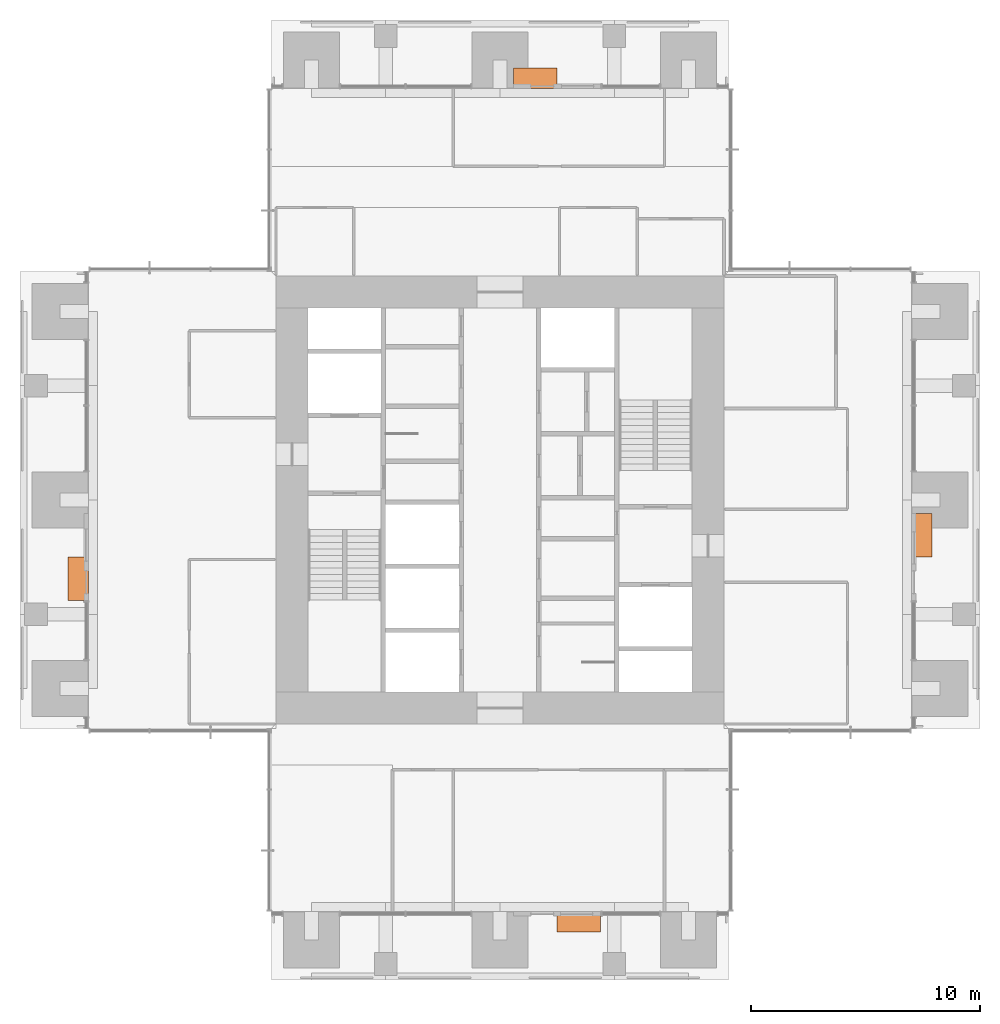
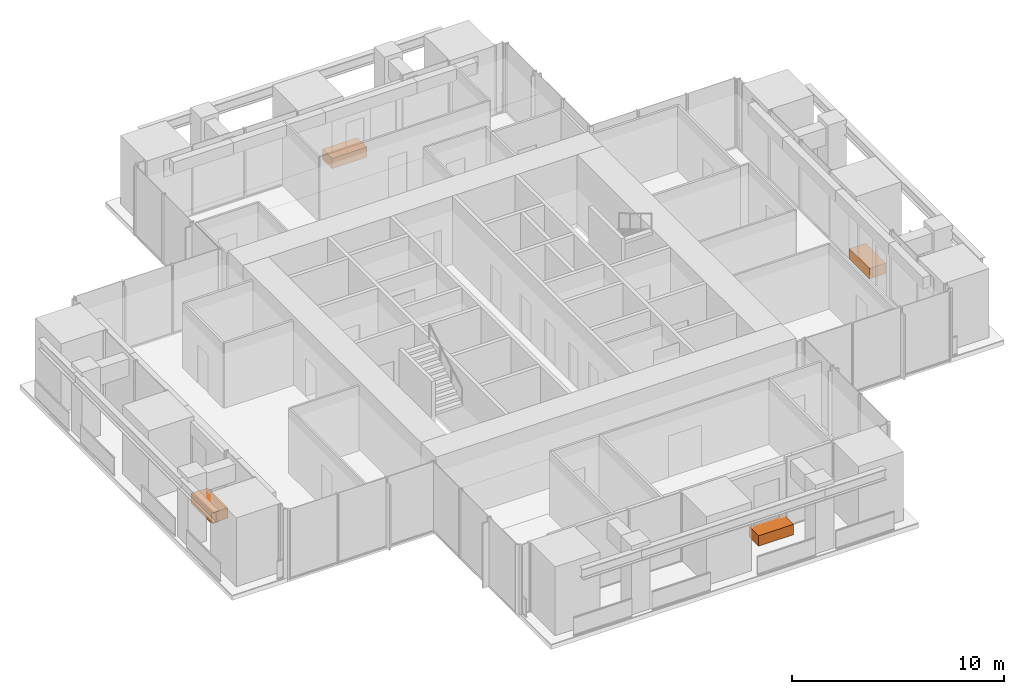
# One storey, part 17 of 17: 4 proxies.
"""IFC4 building model written with IfcOpenShell, lengths in metres."""

from ifc_helpers import new_model, si_unit, direction, frame, origin, origin_2d, place, context, subcontext, project, spatial, rectangle, extrude, element, save


model = new_model("IFC4")

# Units and contexts
model_context = context("Model", 3, precision=1e-05, world=origin(), true_north=direction((0.0, 1.0)))
body_context = subcontext(model_context, "Body", "Model", "MODEL_VIEW")
ifc_project = project(units=[si_unit("LENGTHUNIT", "METRE"), si_unit("AREAUNIT", "SQUARE_METRE"), si_unit("VOLUMEUNIT", "CUBIC_METRE"), si_unit("PLANEANGLEUNIT", "RADIAN"), si_unit("MASSUNIT", "GRAM", prefix="KILO")], contexts=[model_context])

# Site, building, storey
site_placement = place(None, origin())
site = spatial("IfcSite", under=ifc_project, at=site_placement, CompositionType="ELEMENT")
building_placement = place(site_placement, origin())
building = spatial("IfcBuilding", under=site, at=building_placement, Name="Svetlomir Tower", CompositionType="ELEMENT")
storey_placement = place(building_placement, frame((0.0, 0.0, 170.5)))
storey = spatial("IfcBuildingStorey", under=building, at=storey_placement, Name="L40", CompositionType="ELEMENT", Elevation=170.5)

# Proxies
proxy_1_placement = place(storey_placement, frame((24.449951171875, 2.550048828125, 0.0400390625), z_axis=(0.0, 0.0, 1.0), x_axis=(1.0, 0.0, 0.0)))
element("IfcBuildingElementProxy", 1, at=proxy_1_placement, inside=storey, Name="Tree planter S L40", ObjectType="PLANTER", PredefinedType="USERDEFINED", context=body_context, shape_type="SweptSolid", body=[
    extrude(rectangle(XDim=1.89990234375, YDim=0.89990234375, at=origin_2d()), origin(), (0.0, 0.0, 1.0), 0.60009765625),
])
proxy_2_placement = place(storey_placement, frame((39.449951171875, 19.449951171875, 0.0400390625), z_axis=(0.0, 0.0, 1.0), x_axis=(1.0, 0.0, 0.0)))
element("IfcBuildingElementProxy", 2, at=proxy_2_placement, inside=storey, Name="Tree planter E L40", ObjectType="PLANTER", PredefinedType="USERDEFINED", context=body_context, shape_type="SweptSolid", body=[
    extrude(rectangle(XDim=0.89990234375, YDim=1.89990234375, at=origin_2d()), origin(), (0.0, 0.0, 1.0), 0.60009765625),
])
proxy_3_placement = place(storey_placement, frame((22.550048828125, 39.449951171875, 0.0400390625), z_axis=(0.0, 0.0, 1.0), x_axis=(1.0, 0.0, 0.0)))
element("IfcBuildingElementProxy", 3, at=proxy_3_placement, inside=storey, Name="Tree planter N L40", ObjectType="PLANTER", PredefinedType="USERDEFINED", context=body_context, shape_type="SweptSolid", body=[
    extrude(rectangle(XDim=1.89990234375, YDim=0.89990234375, at=origin_2d()), origin(), (0.0, 0.0, 1.0), 0.60009765625),
])
proxy_4_placement = place(storey_placement, frame((2.550048828125, 17.550048828125, 0.0400390625), z_axis=(0.0, 0.0, 1.0), x_axis=(1.0, 0.0, 0.0)))
element("IfcBuildingElementProxy", 4, at=proxy_4_placement, inside=storey, Name="Tree planter W L40", ObjectType="PLANTER", PredefinedType="USERDEFINED", context=body_context, shape_type="SweptSolid", body=[
    extrude(rectangle(XDim=0.89990234375, YDim=1.89990234375, at=origin_2d()), origin(), (0.0, 0.0, 1.0), 0.60009765625),
])

save(model, "model.ifc")
